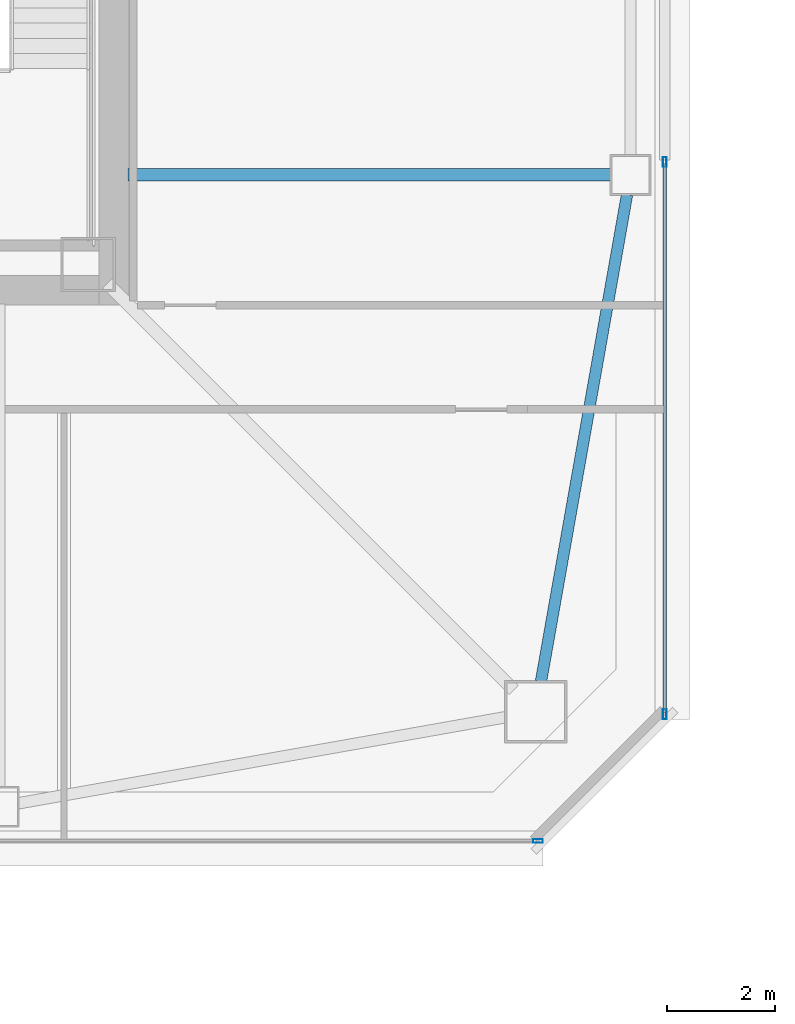
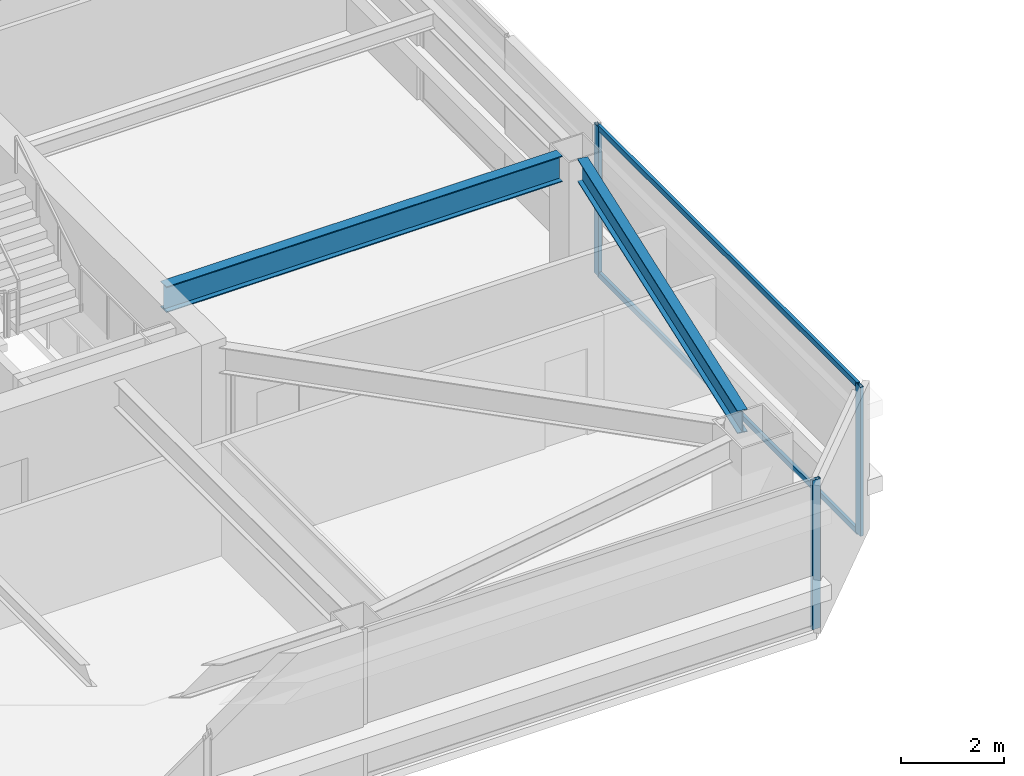
# One storey, part 9 of 43: 5 members, 2 beams, 2 elements without a shape of their own.
"""IFC4 building model written with IfcOpenShell, lengths in metres."""

from ifc_helpers import new_model, si_unit, direction, frame, origin, origin_2d, place, context, subcontext, project, spatial, hollow_rectangle, i_section, extrude, material, material_profile, profile_set, type_object, element, aggregate, save


model = new_model("IFC4")

# Units and contexts
model_context = context("Model", 3, precision=1e-05, world=origin(), true_north=direction((0.0, 1.0)))
body_context = subcontext(model_context, "Body", "Model", "MODEL_VIEW")
ifc_project = project(units=[si_unit("LENGTHUNIT", "METRE"), si_unit("AREAUNIT", "SQUARE_METRE"), si_unit("VOLUMEUNIT", "CUBIC_METRE"), si_unit("PLANEANGLEUNIT", "RADIAN"), si_unit("MASSUNIT", "GRAM", prefix="KILO")], contexts=[model_context])

# Site, building, storey
site_placement = place(None, origin())
site = spatial("IfcSite", under=ifc_project, at=site_placement, CompositionType="ELEMENT")
building_placement = place(site_placement, origin())
building = spatial("IfcBuilding", under=site, at=building_placement, Name="Tashvorn Skyway Center", CompositionType="ELEMENT")
storey_placement = place(building_placement, frame((0.0, 0.0, 188.949951171875)))
storey = spatial("IfcBuildingStorey", under=building, at=storey_placement, Name="L51", CompositionType="ELEMENT", Elevation=188.949951171875)

# Beams
ifc_material_1 = material(Name="Steel ASTM A992 Grade 50", Category="steel")
ifc_material_profile_1 = material_profile(ifc_material_1, i_section(OverallWidth=0.22998046875, OverallDepth=0.616943359375, WebThickness=0.01318359375, FlangeThickness=0.022216796875, at=origin_2d()), Name="W24X94")
ifc_profile_set_1 = profile_set([ifc_material_profile_1], Name="Steel ASTM A992 Grade 50")
beam_type_1 = type_object("IfcBeamType", Name="BM-BEAM-W24X94", PredefinedType="BEAM", material=ifc_profile_set_1)
beam_1_placement = place(storey_placement, frame((58.679931640625, 26.60009765625, 3.0615234375), z_axis=(-1.0, 0.0, 0.0), x_axis=(0.0, -1.0, 0.0)))
element("IfcBeam", 1, at=beam_1_placement, inside=storey, type_object=beam_type_1, Name="Tower 1 L51 Primary Floor Girder FC-E1", PredefinedType="BEAM", context=body_context, shape_type="SweptSolid", body=[
    extrude(i_section(OverallWidth=0.22998046875, OverallDepth=0.616943359375, WebThickness=0.01318359375, FlangeThickness=0.022216796875, at=origin_2d()), origin(), (0.0, 0.0, 1.0), 8.89990234375),
])
ifc_material_profile_2 = material_profile(ifc_material_1, i_section(OverallWidth=0.2109375, OverallDepth=0.5390625, WebThickness=0.01171875, FlangeThickness=0.018798828125, at=origin_2d()), Name="W21X73")
ifc_profile_set_2 = profile_set([ifc_material_profile_2], Name="Steel ASTM A992 Grade 50")
beam_type_2 = type_object("IfcBeamType", Name="BM-SPANDREL-W21X73", PredefinedType="SPANDREL", material=ifc_profile_set_2)
beam_2_placement = place(storey_placement, frame((57.399169921875, 17.26123046875, 3.1005859375), z_axis=(0.174074160933, 0.984732545667, 0.0), x_axis=(-0.984732545667, 0.174074160933, 0.0)))
element("IfcBeam", 2, at=beam_2_placement, inside=storey, type_object=beam_type_2, Name="Tower 1 L51 Spandrel Beam 04", PredefinedType="SPANDREL", context=body_context, shape_type="SweptSolid", body=[
    extrude(i_section(OverallWidth=0.2109375, OverallDepth=0.5390625, WebThickness=0.01171875, FlangeThickness=0.018798828125, at=origin_2d()), origin(), (0.0, 0.0, 1.0), 9.113525390625),
])

# Curtain wall, member
ifc_material_2 = material(Name="Thermally broken bronze-anodized aluminium 6063-T6", Category="aluminium")
curtain_wall_type = type_object("IfcCurtainWallType", Name="CW-CW-Z4", PredefinedType="NOTDEFINED", material=ifc_material_2)
curtain_wall_1_placement = place(storey_placement, origin())
curtain_wall_1 = element("IfcCurtainWall", 3, at=curtain_wall_1_placement, inside=storey, type_object=curtain_wall_type, Name="Tower 1 L51 South Unitised Curtain Wall Glazing Group 1", PredefinedType="NOTDEFINED")
ifc_material_profile_3 = material_profile(ifc_material_2, hollow_rectangle(XDim=0.070068359375, YDim=0.179931640625, WallThickness=0.00390625, at=origin_2d()), Name="ALU-MULL-70x180")
ifc_profile_set_3 = profile_set([ifc_material_profile_3], Name="Thermally broken bronze-anodized aluminium 6063-T6")
member_type_1 = type_object("IfcMemberType", Name="CWM-CW-Z4", PredefinedType="MULLION", material=ifc_profile_set_3)
member_1_placement = place(storey_placement, frame((57.344970703125, 14.320068359375, 0.0), z_axis=(0.0, 0.0, 1.0), x_axis=(0.0, -1.0, 0.0)))
member_1 = element("IfcMember", 4, at=member_1_placement, type_object=member_type_1, Name="CW-Z4 mullion 1", PredefinedType="MULLION", context=body_context, shape_type="SweptSolid", body=[
    extrude(hollow_rectangle(XDim=0.070068359375, YDim=0.179931640625, WallThickness=0.00390625, at=origin_2d()), origin(), (0.0, 0.0, 1.0), 3.550048828125),
])
aggregate(curtain_wall_1, [member_1])

# Curtain wall, members
curtain_wall_2_placement = place(storey_placement, origin())
curtain_wall_2 = element("IfcCurtainWall", 5, at=curtain_wall_2_placement, inside=storey, type_object=curtain_wall_type, Name="Tower 1 L51 East Unitised Curtain Wall Glazing Group 3", PredefinedType="NOTDEFINED")
member_2_placement = place(storey_placement, frame((59.679931640625, 26.83837890625, 0.0), z_axis=(0.0, 0.0, 1.0), x_axis=(1.0, 0.0, 0.0)))
member_2 = element("IfcMember", 6, at=member_2_placement, type_object=member_type_1, Name="CW-Z4 mullion 1", PredefinedType="MULLION", context=body_context, shape_type="SweptSolid", body=[
    extrude(hollow_rectangle(XDim=0.070068359375, YDim=0.179931640625, WallThickness=0.00390625, at=origin_2d()), origin(), (0.0, 0.0, 1.0), 3.550048828125),
])
member_3_placement = place(storey_placement, frame((59.679931640625, 16.655029296875, 0.0), z_axis=(0.0, 0.0, 1.0), x_axis=(1.0, 0.0, 0.0)))
member_3 = element("IfcMember", 7, at=member_3_placement, type_object=member_type_1, Name="CW-Z4 mullion 2", PredefinedType="MULLION", context=body_context, shape_type="SweptSolid", body=[
    extrude(hollow_rectangle(XDim=0.070068359375, YDim=0.179931640625, WallThickness=0.00390625, at=origin_2d()), origin(), (0.0, 0.0, 1.0), 3.550048828125),
])
ifc_material_profile_4 = material_profile(ifc_material_2, hollow_rectangle(XDim=0.070068359375, YDim=0.1298828125, WallThickness=0.00390625, at=origin_2d()), Name="ALU-TRAN-70x130")
ifc_profile_set_4 = profile_set([ifc_material_profile_4], Name="Thermally broken bronze-anodized aluminium 6063-T6")
member_type_2 = type_object("IfcMemberType", Name="CWT-CW-Z4", PredefinedType="USERDEFINED", material=ifc_profile_set_4)
member_4_placement = place(storey_placement, frame((59.679931640625, 26.80322265625, 0.03515625), z_axis=(0.0, -1.0, 0.0), x_axis=(1.0, 0.0, 0.0)))
member_4 = element("IfcMember", 8, at=member_4_placement, type_object=member_type_2, Name="CW-Z4 transom 1.1", ObjectType="TRANSOM", PredefinedType="USERDEFINED", context=body_context, shape_type="SweptSolid", body=[
    extrude(hollow_rectangle(XDim=0.070068359375, YDim=0.1298828125, WallThickness=0.00390625, at=origin_2d()), origin(), (0.0, 0.0, 1.0), 10.11328125),
])
member_5_placement = place(storey_placement, frame((59.679931640625, 26.80322265625, 3.51513671875), z_axis=(0.0, -1.0, 0.0), x_axis=(1.0, 0.0, 0.0)))
member_5 = element("IfcMember", 9, at=member_5_placement, type_object=member_type_2, Name="CW-Z4 transom 1.2", ObjectType="TRANSOM", PredefinedType="USERDEFINED", context=body_context, shape_type="SweptSolid", body=[
    extrude(hollow_rectangle(XDim=0.070068359375, YDim=0.1298828125, WallThickness=0.00390625, at=origin_2d()), origin(), (0.0, 0.0, 1.0), 10.11328125),
])
aggregate(curtain_wall_2, [member_2, member_3, member_4, member_5])

save(model, "model.ifc")
